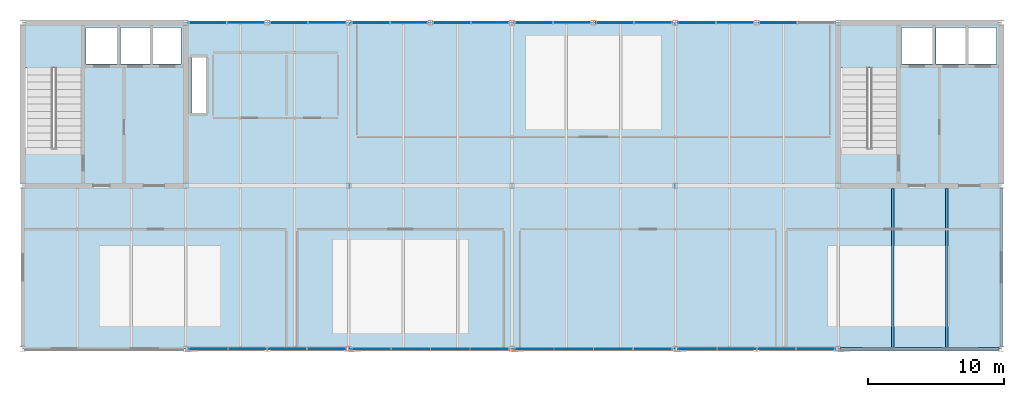
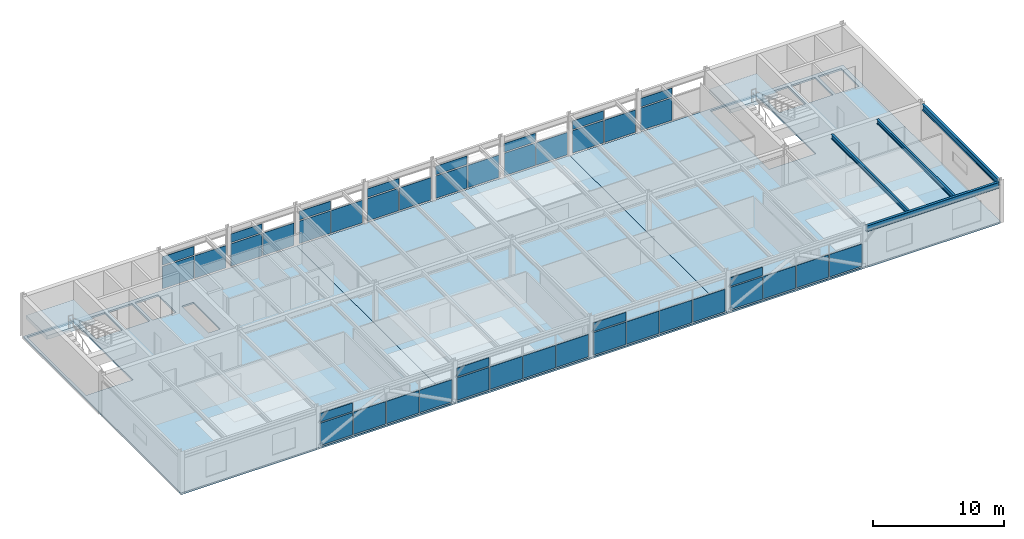
# One storey, part 18 of 23: 43 plates, 5 slabs, 4 beams, 14 elements without a shape of their own.
"""IFC4 building model written with IfcOpenShell, lengths in metres."""

from ifc_helpers import new_model, si_unit, direction, frame, origin, origin_2d, place, context, subcontext, project, spatial, polyline, rectangle, i_section, outline, extrude, material, layer, layer_set, material_profile, profile_set, type_object, element, aggregate, save


model = new_model("IFC4")

# Units and contexts
model_context = context("Model", 3, precision=1e-05, world=origin(), true_north=direction((0.0, 1.0)))
body_context = subcontext(model_context, "Body", "Model", "MODEL_VIEW")
ifc_project = project(units=[si_unit("LENGTHUNIT", "METRE"), si_unit("AREAUNIT", "SQUARE_METRE"), si_unit("VOLUMEUNIT", "CUBIC_METRE"), si_unit("PLANEANGLEUNIT", "RADIAN"), si_unit("MASSUNIT", "GRAM", prefix="KILO")], contexts=[model_context])

# Site, building, storey
site_placement = place(None, origin())
site = spatial("IfcSite", under=ifc_project, at=site_placement, CompositionType="ELEMENT")
building_placement = place(site_placement, origin())
building = spatial("IfcBuilding", under=site, at=building_placement, Name="Girod Span Mobility Hub", CompositionType="ELEMENT")
storey_placement = place(building_placement, frame((0.0, 0.0, 65.60009765625)))
storey = spatial("IfcBuildingStorey", under=building, at=storey_placement, Name="L16", CompositionType="ELEMENT", Elevation=65.60009765625)

# Beams
ifc_material_1 = material(Name="Steel A992 Grade 50", Category="steel")
ifc_material_profile_1 = material_profile(ifc_material_1, i_section(OverallWidth=0.178955078125, OverallDepth=0.409912109375, WebThickness=0.0087890625, FlangeThickness=0.014404296875, FilletRadius=0.012939453125, at=origin_2d()), Name="W16X45")
ifc_profile_set_1 = profile_set([ifc_material_profile_1], Name="Steel A992 Grade 50")
beam_type_1 = type_object("IfcBeamType", Name="BM-STL-W16X45", PredefinedType="BEAM", material=ifc_profile_set_1)
for number, where, z_axis, x_axis, name in (
    (1, (112.0, 45.10302734375, 3.5849609375), (0.0, 1.0, 0.0), (-1.0, 0.0, 0.0), "Composite Floorbeam 10/D-1 L16"),
    (2, (116.0, 45.10302734375, 3.5849609375), (0.0, 1.0, 0.0), (-1.0, 0.0, 0.0), "Composite Floorbeam 10/D-2 L16"),
):
    element("IfcBeam", number, at=place(storey_placement, frame(where, z_axis=z_axis, x_axis=x_axis)), inside=storey, type_object=beam_type_1, Name=name, PredefinedType="BEAM", context=body_context, shape_type="SweptSolid", body=[
        extrude(i_section(OverallWidth=0.178955078125, OverallDepth=0.409912109375, WebThickness=0.0087890625, FlangeThickness=0.014404296875, FilletRadius=0.012939453125, at=origin_2d()), origin(), (0.0, 0.0, 1.0), 11.699951171875),
    ])
ifc_material_2 = material(Name="Steel A992 Grade 50", Category="steel")
ifc_material_profile_2 = material_profile(ifc_material_2, i_section(OverallWidth=0.2119140625, OverallDepth=0.5439453125, WebThickness=0.01318359375, FlangeThickness=0.021240234375, FilletRadius=0.014892578125, at=origin_2d()), Name="W21X83")
ifc_profile_set_2 = profile_set([ifc_material_profile_2], Name="Steel A992 Grade 50")
beam_type_2 = type_object("IfcBeamType", Name="BM-STL-W21X83", PredefinedType="SPANDREL", material=ifc_profile_set_2)
beam_1_placement = place(storey_placement, frame((108.181396484375, 45.0, 3.517822265625), z_axis=(1.0, 0.0, 0.0), x_axis=(0.0, 1.0, 0.0)))
element("IfcBeam", 3, at=beam_1_placement, inside=storey, type_object=beam_type_2, Name="Girder 10-11/D L16", PredefinedType="SPANDREL", context=body_context, shape_type="SweptSolid", body=[
    extrude(i_section(OverallWidth=0.2119140625, OverallDepth=0.5439453125, WebThickness=0.01318359375, FlangeThickness=0.021240234375, FilletRadius=0.014892578125, at=origin_2d()), origin(), (0.0, 0.0, 1.0), 11.63720703125),
])
beam_2_placement = place(storey_placement, frame((120.0, 45.175048828125, 3.517822265625), z_axis=(0.0, 1.0, 0.0), x_axis=(-1.0, 0.0, 0.0)))
element("IfcBeam", 4, at=beam_2_placement, inside=storey, type_object=beam_type_2, Name="Tie Girder 11/D-E L16", PredefinedType="SPANDREL", context=body_context, shape_type="SweptSolid", body=[
    extrude(i_section(OverallWidth=0.2119140625, OverallDepth=0.5439453125, WebThickness=0.01318359375, FlangeThickness=0.021240234375, FilletRadius=0.014892578125, at=origin_2d()), origin(), (0.0, 0.0, 1.0), 11.64990234375),
])

# Curtain wall, plate
ifc_material_3 = material(Name="Thermally Broken Anodised Aluminium", Category="aluminium")
curtain_wall_type_1 = type_object("IfcCurtainWallType", Name="CW-564X325", PredefinedType="USERDEFINED", material=ifc_material_3)
curtain_wall_1_placement = place(storey_placement, origin())
curtain_wall_1 = element("IfcCurtainWall", 5, at=curtain_wall_1_placement, inside=storey, type_object=curtain_wall_type_1, Name="Unitised Curtain Wall CW-L16-N06W L16", ObjectType="UNITISED CURTAIN WALL", PredefinedType="USERDEFINED")
ifc_material_4 = material(Name="Double Low-E Insulated Glazing", Category="glass")
ifc_layer_1 = layer(ifc_material_4, 0.048095703125)
ifc_layer_set_1 = layer_set([ifc_layer_1], Name="Double Low-E Insulated Glazing")
plate_type_1 = type_object("IfcPlateType", Name="PLT-SPN-2748X829X48", PredefinedType="CURTAIN_PANEL", material=ifc_layer_set_1)
plate_1_placement = place(storey_placement, frame((61.59130859375, 69.0, 2.3369140625), z_axis=(0.0, 0.0, 1.0), x_axis=(1.0, 0.0, 0.0)))
plate_1 = element("IfcPlate", 6, at=plate_1_placement, type_object=plate_type_1, Name="Spandrel Glazing Panel CW-L16-N06W-S1", PredefinedType="CURTAIN_PANEL", context=body_context, shape_type="SweptSolid", body=[
    extrude(rectangle(XDim=2.75341796875, YDim=0.048095703125, at=origin_2d()), origin(), (0.0, 0.0, 1.0), 0.788818359375),
])

curtain_wall_2_placement = place(storey_placement, origin())
curtain_wall_2 = element("IfcCurtainWall", 7, at=curtain_wall_2_placement, inside=storey, type_object=curtain_wall_type_1, Name="Unitised Curtain Wall CW-L16-N06E L16", ObjectType="UNITISED CURTAIN WALL", PredefinedType="USERDEFINED")
plate_2_placement = place(storey_placement, frame((67.59130859375, 69.0, 2.3369140625), z_axis=(0.0, 0.0, 1.0), x_axis=(1.0, 0.0, 0.0)))
plate_2 = element("IfcPlate", 8, at=plate_2_placement, type_object=plate_type_1, Name="Spandrel Glazing Panel CW-L16-N06E-S1", PredefinedType="CURTAIN_PANEL", context=body_context, shape_type="SweptSolid", body=[
    extrude(rectangle(XDim=2.75341796875, YDim=0.048095703125, at=origin_2d()), origin(), (0.0, 0.0, 1.0), 0.788818359375),
])

curtain_wall_3_placement = place(storey_placement, origin())
curtain_wall_3 = element("IfcCurtainWall", 9, at=curtain_wall_3_placement, inside=storey, type_object=curtain_wall_type_1, Name="Unitised Curtain Wall CW-L16-N07W L16", ObjectType="UNITISED CURTAIN WALL", PredefinedType="USERDEFINED")
plate_3_placement = place(storey_placement, frame((73.59130859375, 69.0, 2.3369140625), z_axis=(0.0, 0.0, 1.0), x_axis=(1.0, 0.0, 0.0)))
plate_3 = element("IfcPlate", 10, at=plate_3_placement, type_object=plate_type_1, Name="Spandrel Glazing Panel CW-L16-N07W-S1", PredefinedType="CURTAIN_PANEL", context=body_context, shape_type="SweptSolid", body=[
    extrude(rectangle(XDim=2.75341796875, YDim=0.048095703125, at=origin_2d()), origin(), (0.0, 0.0, 1.0), 0.788818359375),
])

curtain_wall_4_placement = place(storey_placement, origin())
curtain_wall_4 = element("IfcCurtainWall", 11, at=curtain_wall_4_placement, inside=storey, type_object=curtain_wall_type_1, Name="Unitised Curtain Wall CW-L16-N07E L16", ObjectType="UNITISED CURTAIN WALL", PredefinedType="USERDEFINED")
plate_4_placement = place(storey_placement, frame((79.59130859375, 69.0, 2.3369140625), z_axis=(0.0, 0.0, 1.0), x_axis=(1.0, 0.0, 0.0)))
plate_4 = element("IfcPlate", 12, at=plate_4_placement, type_object=plate_type_1, Name="Spandrel Glazing Panel CW-L16-N07E-S1", PredefinedType="CURTAIN_PANEL", context=body_context, shape_type="SweptSolid", body=[
    extrude(rectangle(XDim=2.75341796875, YDim=0.048095703125, at=origin_2d()), origin(), (0.0, 0.0, 1.0), 0.788818359375),
])

curtain_wall_5_placement = place(storey_placement, origin())
curtain_wall_5 = element("IfcCurtainWall", 13, at=curtain_wall_5_placement, inside=storey, type_object=curtain_wall_type_1, Name="Unitised Curtain Wall CW-L16-N08W L16", ObjectType="UNITISED CURTAIN WALL", PredefinedType="USERDEFINED")
plate_5_placement = place(storey_placement, frame((85.59130859375, 69.0, 2.3369140625), z_axis=(0.0, 0.0, 1.0), x_axis=(1.0, 0.0, 0.0)))
plate_5 = element("IfcPlate", 14, at=plate_5_placement, type_object=plate_type_1, Name="Spandrel Glazing Panel CW-L16-N08W-S1", PredefinedType="CURTAIN_PANEL", context=body_context, shape_type="SweptSolid", body=[
    extrude(rectangle(XDim=2.75341796875, YDim=0.048095703125, at=origin_2d()), origin(), (0.0, 0.0, 1.0), 0.788818359375),
])

curtain_wall_6_placement = place(storey_placement, origin())
curtain_wall_6 = element("IfcCurtainWall", 15, at=curtain_wall_6_placement, inside=storey, type_object=curtain_wall_type_1, Name="Unitised Curtain Wall CW-L16-N08E L16", ObjectType="UNITISED CURTAIN WALL", PredefinedType="USERDEFINED")
plate_6_placement = place(storey_placement, frame((91.59130859375, 69.0, 2.3369140625), z_axis=(0.0, 0.0, 1.0), x_axis=(1.0, 0.0, 0.0)))
plate_6 = element("IfcPlate", 16, at=plate_6_placement, type_object=plate_type_1, Name="Spandrel Glazing Panel CW-L16-N08E-S1", PredefinedType="CURTAIN_PANEL", context=body_context, shape_type="SweptSolid", body=[
    extrude(rectangle(XDim=2.75341796875, YDim=0.048095703125, at=origin_2d()), origin(), (0.0, 0.0, 1.0), 0.788818359375),
])

curtain_wall_7_placement = place(storey_placement, origin())
curtain_wall_7 = element("IfcCurtainWall", 17, at=curtain_wall_7_placement, inside=storey, type_object=curtain_wall_type_1, Name="Unitised Curtain Wall CW-L16-N09W L16", ObjectType="UNITISED CURTAIN WALL", PredefinedType="USERDEFINED")
plate_7_placement = place(storey_placement, frame((97.59130859375, 69.0, 2.3369140625), z_axis=(0.0, 0.0, 1.0), x_axis=(1.0, 0.0, 0.0)))
plate_7 = element("IfcPlate", 18, at=plate_7_placement, type_object=plate_type_1, Name="Spandrel Glazing Panel CW-L16-N09W-S1", PredefinedType="CURTAIN_PANEL", context=body_context, shape_type="SweptSolid", body=[
    extrude(rectangle(XDim=2.75341796875, YDim=0.048095703125, at=origin_2d()), origin(), (0.0, 0.0, 1.0), 0.788818359375),
])

curtain_wall_8_placement = place(storey_placement, origin())
curtain_wall_8 = element("IfcCurtainWall", 19, at=curtain_wall_8_placement, inside=storey, type_object=curtain_wall_type_1, Name="Unitised Curtain Wall CW-L16-N09E L16", ObjectType="UNITISED CURTAIN WALL", PredefinedType="USERDEFINED")
plate_8_placement = place(storey_placement, frame((103.59130859375, 69.0, 2.3369140625), z_axis=(0.0, 0.0, 1.0), x_axis=(1.0, 0.0, 0.0)))
plate_8 = element("IfcPlate", 20, at=plate_8_placement, type_object=plate_type_1, Name="Spandrel Glazing Panel CW-L16-N09E-S1", PredefinedType="CURTAIN_PANEL", context=body_context, shape_type="SweptSolid", body=[
    extrude(rectangle(XDim=2.75341796875, YDim=0.048095703125, at=origin_2d()), origin(), (0.0, 0.0, 1.0), 0.788818359375),
])

ifc_material_5 = material(Name="Thermally Broken Anodised Aluminium", Category="aluminium")
curtain_wall_type_2 = type_object("IfcCurtainWallType", Name="CW-1164X325", PredefinedType="USERDEFINED", material=ifc_material_5)
curtain_wall_9_placement = place(storey_placement, origin())
curtain_wall_9 = element("IfcCurtainWall", 21, at=curtain_wall_9_placement, inside=storey, type_object=curtain_wall_type_2, Name="Unitised Curtain Wall CW-L16-S06 L16", ObjectType="UNITISED CURTAIN WALL", PredefinedType="USERDEFINED")
ifc_material_6 = material(Name="Double Low-E Insulated Glazing", Category="glass")
ifc_layer_2 = layer(ifc_material_6, 0.048095703125)
ifc_layer_set_2 = layer_set([ifc_layer_2], Name="Double Low-E Insulated Glazing")
plate_type_2 = type_object("IfcPlateType", Name="PLT-SPN-2839X829X48", PredefinedType="CURTAIN_PANEL", material=ifc_layer_set_2)
plate_9_placement = place(storey_placement, frame((61.636962890625, 45.0, 2.3369140625), z_axis=(0.0, 0.0, 1.0), x_axis=(1.0, 0.0, 0.0)))
plate_9 = element("IfcPlate", 22, at=plate_9_placement, type_object=plate_type_2, Name="Spandrel Glazing Panel CW-L16-S06-S1", PredefinedType="CURTAIN_PANEL", context=body_context, shape_type="SweptSolid", body=[
    extrude(rectangle(XDim=2.8447265625, YDim=0.048095703125, at=origin_2d()), origin(), (0.0, 0.0, 1.0), 0.788818359375),
])

curtain_wall_10_placement = place(storey_placement, origin())
curtain_wall_10 = element("IfcCurtainWall", 23, at=curtain_wall_10_placement, inside=storey, type_object=curtain_wall_type_2, Name="Unitised Curtain Wall CW-L16-S07 L16", ObjectType="UNITISED CURTAIN WALL", PredefinedType="USERDEFINED")
plate_10_placement = place(storey_placement, frame((73.636962890625, 45.0, 2.3369140625), z_axis=(0.0, 0.0, 1.0), x_axis=(1.0, 0.0, 0.0)))
plate_10 = element("IfcPlate", 24, at=plate_10_placement, type_object=plate_type_2, Name="Spandrel Glazing Panel CW-L16-S07-S1", PredefinedType="CURTAIN_PANEL", context=body_context, shape_type="SweptSolid", body=[
    extrude(rectangle(XDim=2.8447265625, YDim=0.048095703125, at=origin_2d()), origin(), (0.0, 0.0, 1.0), 0.788818359375),
])

curtain_wall_11_placement = place(storey_placement, origin())
curtain_wall_11 = element("IfcCurtainWall", 25, at=curtain_wall_11_placement, inside=storey, type_object=curtain_wall_type_2, Name="Unitised Curtain Wall CW-L16-S08 L16", ObjectType="UNITISED CURTAIN WALL", PredefinedType="USERDEFINED")
plate_11_placement = place(storey_placement, frame((85.636962890625, 45.0, 2.3369140625), z_axis=(0.0, 0.0, 1.0), x_axis=(1.0, 0.0, 0.0)))
plate_11 = element("IfcPlate", 26, at=plate_11_placement, type_object=plate_type_2, Name="Spandrel Glazing Panel CW-L16-S08-S1", PredefinedType="CURTAIN_PANEL", context=body_context, shape_type="SweptSolid", body=[
    extrude(rectangle(XDim=2.8447265625, YDim=0.048095703125, at=origin_2d()), origin(), (0.0, 0.0, 1.0), 0.788818359375),
])

curtain_wall_12_placement = place(storey_placement, origin())
curtain_wall_12 = element("IfcCurtainWall", 27, at=curtain_wall_12_placement, inside=storey, type_object=curtain_wall_type_2, Name="Unitised Curtain Wall CW-L16-S09 L16", ObjectType="UNITISED CURTAIN WALL", PredefinedType="USERDEFINED")
plate_12_placement = place(storey_placement, frame((97.636962890625, 45.0, 2.3369140625), z_axis=(0.0, 0.0, 1.0), x_axis=(1.0, 0.0, 0.0)))
plate_12 = element("IfcPlate", 28, at=plate_12_placement, type_object=plate_type_2, Name="Spandrel Glazing Panel CW-L16-S09-S1", PredefinedType="CURTAIN_PANEL", context=body_context, shape_type="SweptSolid", body=[
    extrude(rectangle(XDim=2.8447265625, YDim=0.048095703125, at=origin_2d()), origin(), (0.0, 0.0, 1.0), 0.788818359375),
])

# Plate
ifc_material_7 = material(Name="Double Low-E Insulated Glazing", Category="glass")
ifc_layer_3 = layer(ifc_material_7, 0.035888671875)
ifc_layer_set_3 = layer_set([ifc_layer_3], Name="Double Low-E Insulated Glazing")
plate_type_3 = type_object("IfcPlateType", Name="PLT-VIS-2748X2337X36", PredefinedType="CURTAIN_PANEL", material=ifc_layer_set_3)
plate_13_placement = place(storey_placement, frame((61.59130859375, 69.0, 0.139892578125), z_axis=(0.0, 0.0, 1.0), x_axis=(1.0, 0.0, 0.0)))
plate_13 = element("IfcPlate", 29, at=plate_13_placement, type_object=plate_type_3, Name="Vision Glazing Panel CW-L16-N06W-V1", PredefinedType="CURTAIN_PANEL", context=body_context, shape_type="SweptSolid", body=[
    extrude(rectangle(XDim=2.75341796875, YDim=0.035888671875, at=origin_2d()), origin(), (0.0, 0.0, 1.0), 2.0771484375),
])

plate_14_placement = place(storey_placement, frame((64.40869140625, 69.0, 0.139892578125), z_axis=(0.0, 0.0, 1.0), x_axis=(1.0, 0.0, 0.0)))
plate_14 = element("IfcPlate", 30, at=plate_14_placement, type_object=plate_type_3, Name="Vision Glazing Panel CW-L16-N06W-V2", PredefinedType="CURTAIN_PANEL", context=body_context, shape_type="SweptSolid", body=[
    extrude(rectangle(XDim=2.75341796875, YDim=0.035888671875, at=origin_2d()), origin(), (0.0, 0.0, 1.0), 2.0771484375),
])

aggregate(curtain_wall_1, [plate_13, plate_1, plate_14])

plate_15_placement = place(storey_placement, frame((67.59130859375, 69.0, 0.139892578125), z_axis=(0.0, 0.0, 1.0), x_axis=(1.0, 0.0, 0.0)))
plate_15 = element("IfcPlate", 31, at=plate_15_placement, type_object=plate_type_3, Name="Vision Glazing Panel CW-L16-N06E-V1", PredefinedType="CURTAIN_PANEL", context=body_context, shape_type="SweptSolid", body=[
    extrude(rectangle(XDim=2.75341796875, YDim=0.035888671875, at=origin_2d()), origin(), (0.0, 0.0, 1.0), 2.0771484375),
])

plate_16_placement = place(storey_placement, frame((70.40869140625, 69.0, 0.139892578125), z_axis=(0.0, 0.0, 1.0), x_axis=(1.0, 0.0, 0.0)))
plate_16 = element("IfcPlate", 32, at=plate_16_placement, type_object=plate_type_3, Name="Vision Glazing Panel CW-L16-N06E-V2", PredefinedType="CURTAIN_PANEL", context=body_context, shape_type="SweptSolid", body=[
    extrude(rectangle(XDim=2.75341796875, YDim=0.035888671875, at=origin_2d()), origin(), (0.0, 0.0, 1.0), 2.0771484375),
])

aggregate(curtain_wall_2, [plate_15, plate_2, plate_16])

plate_17_placement = place(storey_placement, frame((73.59130859375, 69.0, 0.139892578125), z_axis=(0.0, 0.0, 1.0), x_axis=(1.0, 0.0, 0.0)))
plate_17 = element("IfcPlate", 33, at=plate_17_placement, type_object=plate_type_3, Name="Vision Glazing Panel CW-L16-N07W-V1", PredefinedType="CURTAIN_PANEL", context=body_context, shape_type="SweptSolid", body=[
    extrude(rectangle(XDim=2.75341796875, YDim=0.035888671875, at=origin_2d()), origin(), (0.0, 0.0, 1.0), 2.0771484375),
])

plate_18_placement = place(storey_placement, frame((76.40869140625, 69.0, 0.139892578125), z_axis=(0.0, 0.0, 1.0), x_axis=(1.0, 0.0, 0.0)))
plate_18 = element("IfcPlate", 34, at=plate_18_placement, type_object=plate_type_3, Name="Vision Glazing Panel CW-L16-N07W-V2", PredefinedType="CURTAIN_PANEL", context=body_context, shape_type="SweptSolid", body=[
    extrude(rectangle(XDim=2.75341796875, YDim=0.035888671875, at=origin_2d()), origin(), (0.0, 0.0, 1.0), 2.0771484375),
])

aggregate(curtain_wall_3, [plate_17, plate_3, plate_18])

plate_19_placement = place(storey_placement, frame((79.59130859375, 69.0, 0.139892578125), z_axis=(0.0, 0.0, 1.0), x_axis=(1.0, 0.0, 0.0)))
plate_19 = element("IfcPlate", 35, at=plate_19_placement, type_object=plate_type_3, Name="Vision Glazing Panel CW-L16-N07E-V1", PredefinedType="CURTAIN_PANEL", context=body_context, shape_type="SweptSolid", body=[
    extrude(rectangle(XDim=2.75341796875, YDim=0.035888671875, at=origin_2d()), origin(), (0.0, 0.0, 1.0), 2.0771484375),
])

plate_20_placement = place(storey_placement, frame((82.40869140625, 69.0, 0.139892578125), z_axis=(0.0, 0.0, 1.0), x_axis=(1.0, 0.0, 0.0)))
plate_20 = element("IfcPlate", 36, at=plate_20_placement, type_object=plate_type_3, Name="Vision Glazing Panel CW-L16-N07E-V2", PredefinedType="CURTAIN_PANEL", context=body_context, shape_type="SweptSolid", body=[
    extrude(rectangle(XDim=2.75341796875, YDim=0.035888671875, at=origin_2d()), origin(), (0.0, 0.0, 1.0), 2.0771484375),
])

aggregate(curtain_wall_4, [plate_19, plate_4, plate_20])

plate_21_placement = place(storey_placement, frame((85.59130859375, 69.0, 0.139892578125), z_axis=(0.0, 0.0, 1.0), x_axis=(1.0, 0.0, 0.0)))
plate_21 = element("IfcPlate", 37, at=plate_21_placement, type_object=plate_type_3, Name="Vision Glazing Panel CW-L16-N08W-V1", PredefinedType="CURTAIN_PANEL", context=body_context, shape_type="SweptSolid", body=[
    extrude(rectangle(XDim=2.75341796875, YDim=0.035888671875, at=origin_2d()), origin(), (0.0, 0.0, 1.0), 2.0771484375),
])

plate_22_placement = place(storey_placement, frame((88.40869140625, 69.0, 0.139892578125), z_axis=(0.0, 0.0, 1.0), x_axis=(1.0, 0.0, 0.0)))
plate_22 = element("IfcPlate", 38, at=plate_22_placement, type_object=plate_type_3, Name="Vision Glazing Panel CW-L16-N08W-V2", PredefinedType="CURTAIN_PANEL", context=body_context, shape_type="SweptSolid", body=[
    extrude(rectangle(XDim=2.75341796875, YDim=0.035888671875, at=origin_2d()), origin(), (0.0, 0.0, 1.0), 2.0771484375),
])

aggregate(curtain_wall_5, [plate_21, plate_5, plate_22])

plate_23_placement = place(storey_placement, frame((91.59130859375, 69.0, 0.139892578125), z_axis=(0.0, 0.0, 1.0), x_axis=(1.0, 0.0, 0.0)))
plate_23 = element("IfcPlate", 39, at=plate_23_placement, type_object=plate_type_3, Name="Vision Glazing Panel CW-L16-N08E-V1", PredefinedType="CURTAIN_PANEL", context=body_context, shape_type="SweptSolid", body=[
    extrude(rectangle(XDim=2.75341796875, YDim=0.035888671875, at=origin_2d()), origin(), (0.0, 0.0, 1.0), 2.0771484375),
])

plate_24_placement = place(storey_placement, frame((94.40869140625, 69.0, 0.139892578125), z_axis=(0.0, 0.0, 1.0), x_axis=(1.0, 0.0, 0.0)))
plate_24 = element("IfcPlate", 40, at=plate_24_placement, type_object=plate_type_3, Name="Vision Glazing Panel CW-L16-N08E-V2", PredefinedType="CURTAIN_PANEL", context=body_context, shape_type="SweptSolid", body=[
    extrude(rectangle(XDim=2.75341796875, YDim=0.035888671875, at=origin_2d()), origin(), (0.0, 0.0, 1.0), 2.0771484375),
])

aggregate(curtain_wall_6, [plate_23, plate_6, plate_24])

plate_25_placement = place(storey_placement, frame((97.59130859375, 69.0, 0.139892578125), z_axis=(0.0, 0.0, 1.0), x_axis=(1.0, 0.0, 0.0)))
plate_25 = element("IfcPlate", 41, at=plate_25_placement, type_object=plate_type_3, Name="Vision Glazing Panel CW-L16-N09W-V1", PredefinedType="CURTAIN_PANEL", context=body_context, shape_type="SweptSolid", body=[
    extrude(rectangle(XDim=2.75341796875, YDim=0.035888671875, at=origin_2d()), origin(), (0.0, 0.0, 1.0), 2.0771484375),
])

plate_26_placement = place(storey_placement, frame((100.40869140625, 69.0, 0.139892578125), z_axis=(0.0, 0.0, 1.0), x_axis=(1.0, 0.0, 0.0)))
plate_26 = element("IfcPlate", 42, at=plate_26_placement, type_object=plate_type_3, Name="Vision Glazing Panel CW-L16-N09W-V2", PredefinedType="CURTAIN_PANEL", context=body_context, shape_type="SweptSolid", body=[
    extrude(rectangle(XDim=2.75341796875, YDim=0.035888671875, at=origin_2d()), origin(), (0.0, 0.0, 1.0), 2.0771484375),
])

aggregate(curtain_wall_7, [plate_25, plate_7, plate_26])

plate_27_placement = place(storey_placement, frame((103.59130859375, 69.0, 0.139892578125), z_axis=(0.0, 0.0, 1.0), x_axis=(1.0, 0.0, 0.0)))
plate_27 = element("IfcPlate", 43, at=plate_27_placement, type_object=plate_type_3, Name="Vision Glazing Panel CW-L16-N09E-V1", PredefinedType="CURTAIN_PANEL", context=body_context, shape_type="SweptSolid", body=[
    extrude(rectangle(XDim=2.75341796875, YDim=0.035888671875, at=origin_2d()), origin(), (0.0, 0.0, 1.0), 2.0771484375),
])

aggregate(curtain_wall_8, [plate_27, plate_8])

ifc_material_8 = material(Name="Double Low-E Insulated Glazing", Category="glass")
ifc_layer_4 = layer(ifc_material_8, 0.035888671875)
ifc_layer_set_4 = layer_set([ifc_layer_4], Name="Double Low-E Insulated Glazing")
plate_type_4 = type_object("IfcPlateType", Name="PLT-VIS-2839X2337X36", PredefinedType="CURTAIN_PANEL", material=ifc_layer_set_4)
plate_28_placement = place(storey_placement, frame((61.636962890625, 45.0, 0.139892578125), z_axis=(0.0, 0.0, 1.0), x_axis=(1.0, 0.0, 0.0)))
plate_28 = element("IfcPlate", 44, at=plate_28_placement, type_object=plate_type_4, Name="Vision Glazing Panel CW-L16-S06-V1", PredefinedType="CURTAIN_PANEL", context=body_context, shape_type="SweptSolid", body=[
    extrude(rectangle(XDim=2.8447265625, YDim=0.035888671875, at=origin_2d()), origin(), (0.0, 0.0, 1.0), 2.0771484375),
])

plate_29_placement = place(storey_placement, frame((64.545654296875, 45.0, 0.139892578125), z_axis=(0.0, 0.0, 1.0), x_axis=(1.0, 0.0, 0.0)))
plate_29 = element("IfcPlate", 45, at=plate_29_placement, type_object=plate_type_4, Name="Vision Glazing Panel CW-L16-S06-V2", PredefinedType="CURTAIN_PANEL", context=body_context, shape_type="SweptSolid", body=[
    extrude(rectangle(XDim=2.8447265625, YDim=0.035888671875, at=origin_2d()), origin(), (0.0, 0.0, 1.0), 2.0771484375),
])

plate_30_placement = place(storey_placement, frame((67.454345703125, 45.0, 0.139892578125), z_axis=(0.0, 0.0, 1.0), x_axis=(1.0, 0.0, 0.0)))
plate_30 = element("IfcPlate", 46, at=plate_30_placement, type_object=plate_type_4, Name="Vision Glazing Panel CW-L16-S06-V3", PredefinedType="CURTAIN_PANEL", context=body_context, shape_type="SweptSolid", body=[
    extrude(rectangle(XDim=2.8447265625, YDim=0.035888671875, at=origin_2d()), origin(), (0.0, 0.0, 1.0), 2.0771484375),
])

plate_31_placement = place(storey_placement, frame((70.363037109375, 45.0, 0.139892578125), z_axis=(0.0, 0.0, 1.0), x_axis=(1.0, 0.0, 0.0)))
plate_31 = element("IfcPlate", 47, at=plate_31_placement, type_object=plate_type_4, Name="Vision Glazing Panel CW-L16-S06-V4", PredefinedType="CURTAIN_PANEL", context=body_context, shape_type="SweptSolid", body=[
    extrude(rectangle(XDim=2.8447265625, YDim=0.035888671875, at=origin_2d()), origin(), (0.0, 0.0, 1.0), 2.0771484375),
])

aggregate(curtain_wall_9, [plate_28, plate_9, plate_29, plate_30, plate_31])

plate_32_placement = place(storey_placement, frame((73.636962890625, 45.0, 0.139892578125), z_axis=(0.0, 0.0, 1.0), x_axis=(1.0, 0.0, 0.0)))
plate_32 = element("IfcPlate", 48, at=plate_32_placement, type_object=plate_type_4, Name="Vision Glazing Panel CW-L16-S07-V1", PredefinedType="CURTAIN_PANEL", context=body_context, shape_type="SweptSolid", body=[
    extrude(rectangle(XDim=2.8447265625, YDim=0.035888671875, at=origin_2d()), origin(), (0.0, 0.0, 1.0), 2.0771484375),
])

plate_33_placement = place(storey_placement, frame((76.545654296875, 45.0, 0.139892578125), z_axis=(0.0, 0.0, 1.0), x_axis=(1.0, 0.0, 0.0)))
plate_33 = element("IfcPlate", 49, at=plate_33_placement, type_object=plate_type_4, Name="Vision Glazing Panel CW-L16-S07-V2", PredefinedType="CURTAIN_PANEL", context=body_context, shape_type="SweptSolid", body=[
    extrude(rectangle(XDim=2.8447265625, YDim=0.035888671875, at=origin_2d()), origin(), (0.0, 0.0, 1.0), 2.0771484375),
])

plate_34_placement = place(storey_placement, frame((79.454345703125, 45.0, 0.139892578125), z_axis=(0.0, 0.0, 1.0), x_axis=(1.0, 0.0, 0.0)))
plate_34 = element("IfcPlate", 50, at=plate_34_placement, type_object=plate_type_4, Name="Vision Glazing Panel CW-L16-S07-V3", PredefinedType="CURTAIN_PANEL", context=body_context, shape_type="SweptSolid", body=[
    extrude(rectangle(XDim=2.8447265625, YDim=0.035888671875, at=origin_2d()), origin(), (0.0, 0.0, 1.0), 2.0771484375),
])

plate_35_placement = place(storey_placement, frame((82.363037109375, 45.0, 0.139892578125), z_axis=(0.0, 0.0, 1.0), x_axis=(1.0, 0.0, 0.0)))
plate_35 = element("IfcPlate", 51, at=plate_35_placement, type_object=plate_type_4, Name="Vision Glazing Panel CW-L16-S07-V4", PredefinedType="CURTAIN_PANEL", context=body_context, shape_type="SweptSolid", body=[
    extrude(rectangle(XDim=2.8447265625, YDim=0.035888671875, at=origin_2d()), origin(), (0.0, 0.0, 1.0), 2.0771484375),
])

aggregate(curtain_wall_10, [plate_32, plate_10, plate_33, plate_34, plate_35])

plate_36_placement = place(storey_placement, frame((85.636962890625, 45.0, 0.139892578125), z_axis=(0.0, 0.0, 1.0), x_axis=(1.0, 0.0, 0.0)))
plate_36 = element("IfcPlate", 52, at=plate_36_placement, type_object=plate_type_4, Name="Vision Glazing Panel CW-L16-S08-V1", PredefinedType="CURTAIN_PANEL", context=body_context, shape_type="SweptSolid", body=[
    extrude(rectangle(XDim=2.8447265625, YDim=0.035888671875, at=origin_2d()), origin(), (0.0, 0.0, 1.0), 2.0771484375),
])

plate_37_placement = place(storey_placement, frame((88.545654296875, 45.0, 0.139892578125), z_axis=(0.0, 0.0, 1.0), x_axis=(1.0, 0.0, 0.0)))
plate_37 = element("IfcPlate", 53, at=plate_37_placement, type_object=plate_type_4, Name="Vision Glazing Panel CW-L16-S08-V2", PredefinedType="CURTAIN_PANEL", context=body_context, shape_type="SweptSolid", body=[
    extrude(rectangle(XDim=2.8447265625, YDim=0.035888671875, at=origin_2d()), origin(), (0.0, 0.0, 1.0), 2.0771484375),
])

plate_38_placement = place(storey_placement, frame((91.454345703125, 45.0, 0.139892578125), z_axis=(0.0, 0.0, 1.0), x_axis=(1.0, 0.0, 0.0)))
plate_38 = element("IfcPlate", 54, at=plate_38_placement, type_object=plate_type_4, Name="Vision Glazing Panel CW-L16-S08-V3", PredefinedType="CURTAIN_PANEL", context=body_context, shape_type="SweptSolid", body=[
    extrude(rectangle(XDim=2.8447265625, YDim=0.035888671875, at=origin_2d()), origin(), (0.0, 0.0, 1.0), 2.0771484375),
])

plate_39_placement = place(storey_placement, frame((94.363037109375, 45.0, 0.139892578125), z_axis=(0.0, 0.0, 1.0), x_axis=(1.0, 0.0, 0.0)))
plate_39 = element("IfcPlate", 55, at=plate_39_placement, type_object=plate_type_4, Name="Vision Glazing Panel CW-L16-S08-V4", PredefinedType="CURTAIN_PANEL", context=body_context, shape_type="SweptSolid", body=[
    extrude(rectangle(XDim=2.8447265625, YDim=0.035888671875, at=origin_2d()), origin(), (0.0, 0.0, 1.0), 2.0771484375),
])

aggregate(curtain_wall_11, [plate_36, plate_11, plate_37, plate_38, plate_39])

plate_40_placement = place(storey_placement, frame((97.636962890625, 45.0, 0.139892578125), z_axis=(0.0, 0.0, 1.0), x_axis=(1.0, 0.0, 0.0)))
plate_40 = element("IfcPlate", 56, at=plate_40_placement, type_object=plate_type_4, Name="Vision Glazing Panel CW-L16-S09-V1", PredefinedType="CURTAIN_PANEL", context=body_context, shape_type="SweptSolid", body=[
    extrude(rectangle(XDim=2.8447265625, YDim=0.035888671875, at=origin_2d()), origin(), (0.0, 0.0, 1.0), 2.0771484375),
])

plate_41_placement = place(storey_placement, frame((100.545654296875, 45.0, 0.139892578125), z_axis=(0.0, 0.0, 1.0), x_axis=(1.0, 0.0, 0.0)))
plate_41 = element("IfcPlate", 57, at=plate_41_placement, type_object=plate_type_4, Name="Vision Glazing Panel CW-L16-S09-V2", PredefinedType="CURTAIN_PANEL", context=body_context, shape_type="SweptSolid", body=[
    extrude(rectangle(XDim=2.8447265625, YDim=0.035888671875, at=origin_2d()), origin(), (0.0, 0.0, 1.0), 2.0771484375),
])

plate_42_placement = place(storey_placement, frame((103.454345703125, 45.0, 0.139892578125), z_axis=(0.0, 0.0, 1.0), x_axis=(1.0, 0.0, 0.0)))
plate_42 = element("IfcPlate", 58, at=plate_42_placement, type_object=plate_type_4, Name="Vision Glazing Panel CW-L16-S09-V3", PredefinedType="CURTAIN_PANEL", context=body_context, shape_type="SweptSolid", body=[
    extrude(rectangle(XDim=2.8447265625, YDim=0.035888671875, at=origin_2d()), origin(), (0.0, 0.0, 1.0), 2.0771484375),
])

plate_43_placement = place(storey_placement, frame((106.363037109375, 45.0, 0.139892578125), z_axis=(0.0, 0.0, 1.0), x_axis=(1.0, 0.0, 0.0)))
plate_43 = element("IfcPlate", 59, at=plate_43_placement, type_object=plate_type_4, Name="Vision Glazing Panel CW-L16-S09-V4", PredefinedType="CURTAIN_PANEL", context=body_context, shape_type="SweptSolid", body=[
    extrude(rectangle(XDim=2.8447265625, YDim=0.035888671875, at=origin_2d()), origin(), (0.0, 0.0, 1.0), 2.0771484375),
])

aggregate(curtain_wall_12, [plate_40, plate_12, plate_41, plate_42, plate_43])

# Slabs
ifc_material_9 = material(Name="Concrete C40/50", Category="concrete")
ifc_layer_5 = layer(ifc_material_9, 0.159912109375)
ifc_layer_set_5 = layer_set([ifc_layer_5], Name="Concrete C40/50")
slab_type_1 = type_object("IfcSlabType", Name="SL-FLR-160", PredefinedType="FLOOR", material=ifc_layer_set_5)
slab_1_placement = place(storey_placement, frame((0.0, 0.0, -0.16015625)))
element("IfcSlab", 60, at=slab_1_placement, inside=storey, type_object=slab_type_1, Name="Floor Slab L16 Sector W", PredefinedType="FLOOR", context=body_context, shape_type="SweptSolid", body=[
    extrude(outline(polyline([(48.0, 69.0), (72.0, 69.0), (72.0, 45.0), (48.0, 45.0), (48.0, 69.0)]), holes=[polyline([(48.219970703125, 59.8349609375), (52.340087890625, 59.8349609375), (52.340087890625, 68.820068359375), (48.219970703125, 68.820068359375), (48.219970703125, 59.8349609375)]), polyline([(60.449951171875, 62.35009765625), (61.47998046875, 62.35009765625), (61.47998046875, 66.449951171875), (60.449951171875, 66.449951171875), (60.449951171875, 62.35009765625)]), polyline([(52.64990234375, 65.949951171875), (54.949951171875, 65.949951171875), (54.949951171875, 68.64990234375), (52.64990234375, 68.64990234375), (52.64990234375, 65.949951171875)]), polyline([(55.199951171875, 65.949951171875), (57.35009765625, 65.949951171875), (57.35009765625, 68.64990234375), (55.199951171875, 68.64990234375), (55.199951171875, 65.949951171875)]), polyline([(57.60009765625, 65.949951171875), (59.64990234375, 65.949951171875), (59.64990234375, 68.64990234375), (57.60009765625, 68.64990234375), (57.60009765625, 65.949951171875)])]), origin(), (0.0, 0.0, 1.0), 0.16015625),
])
slab_2_placement = place(storey_placement, frame((0.0, 0.0, -0.16015625)))
element("IfcSlab", 61, at=slab_2_placement, inside=storey, type_object=slab_type_1, Name="Floor Slab L16 Sector C", PredefinedType="FLOOR", context=body_context, shape_type="SweptSolid", body=[
    extrude(outline(polyline([(96.0, 69.0), (96.0, 45.0), (72.0, 45.0), (72.0, 69.0), (96.0, 69.0)])), origin(), (0.0, 0.0, 1.0), 0.16015625),
])
slab_3_placement = place(storey_placement, frame((0.0, 0.0, -0.16015625)))
element("IfcSlab", 62, at=slab_3_placement, inside=storey, type_object=slab_type_1, Name="Floor Slab L16 Sector E", PredefinedType="FLOOR", context=body_context, shape_type="SweptSolid", body=[
    extrude(outline(polyline([(120.0, 69.0), (120.0, 45.0), (96.0, 45.0), (96.0, 69.0), (120.0, 69.0)]), holes=[polyline([(108.219970703125, 59.8349609375), (112.340087890625, 59.8349609375), (112.340087890625, 68.820068359375), (108.219970703125, 68.820068359375), (108.219970703125, 59.8349609375)]), polyline([(112.64990234375, 65.949951171875), (114.949951171875, 65.949951171875), (114.949951171875, 68.64990234375), (112.64990234375, 68.64990234375), (112.64990234375, 65.949951171875)]), polyline([(115.199951171875, 68.64990234375), (115.199951171875, 65.949951171875), (117.35009765625, 65.949951171875), (117.35009765625, 68.64990234375), (115.199951171875, 68.64990234375)]), polyline([(117.60009765625, 68.64990234375), (117.60009765625, 65.949951171875), (119.64990234375, 65.949951171875), (119.64990234375, 68.64990234375), (117.60009765625, 68.64990234375)])]), origin(), (0.0, 0.0, 1.0), 0.16015625),
])

# Stair, slab
ifc_material_10 = material(Name="Concrete C40/50", Category="concrete")
stair_type = type_object("IfcStairType", Name="STR-4000-W1860", PredefinedType="HALF_TURN_STAIR", material=ifc_material_10)
stair_1_placement = place(storey_placement, origin())
stair_1 = element("IfcStair", 63, at=stair_1_placement, inside=storey, type_object=stair_type, Name="Exit Stair ST-1 L16", PredefinedType="HALF_TURN_STAIR")
ifc_material_11 = material(Name="Concrete C40/50", Category="concrete")
ifc_layer_6 = layer(ifc_material_11, 0.35498046875)
ifc_layer_set_6 = layer_set([ifc_layer_6], Name="Concrete C40/50")
slab_type_2 = type_object("IfcSlabType", Name="SL-LND-355", PredefinedType="LANDING", material=ifc_layer_set_6)
slab_4_placement = place(storey_placement, frame((0.0, 0.0, 1.64501953125)))
slab_4 = element("IfcSlab", 64, at=slab_4_placement, type_object=slab_type_2, Name="Stair ST-1 Half-Landing L16", PredefinedType="LANDING", context=body_context, shape_type="SweptSolid", body=[
    extrude(outline(polyline([(52.3349609375, 65.68603515625), (52.3349609375, 68.8349609375), (48.1650390625, 68.8349609375), (48.1650390625, 65.68603515625), (52.3349609375, 65.68603515625)])), origin(), (0.0, 0.0, 1.0), 0.35498046875),
])
aggregate(stair_1, [slab_4])

stair_2_placement = place(storey_placement, origin())
stair_2 = element("IfcStair", 65, at=stair_2_placement, inside=storey, type_object=stair_type, Name="Exit Stair ST-2 L16", PredefinedType="HALF_TURN_STAIR")
slab_5_placement = place(storey_placement, frame((0.0, 0.0, 1.64501953125)))
slab_5 = element("IfcSlab", 66, at=slab_5_placement, type_object=slab_type_2, Name="Stair ST-2 Half-Landing L16", PredefinedType="LANDING", context=body_context, shape_type="SweptSolid", body=[
    extrude(outline(polyline([(112.3349609375, 65.68603515625), (112.3349609375, 68.8349609375), (108.1650390625, 68.8349609375), (108.1650390625, 65.68603515625), (112.3349609375, 65.68603515625)])), origin(), (0.0, 0.0, 1.0), 0.35498046875),
])
aggregate(stair_2, [slab_5])

save(model, "model.ifc")
